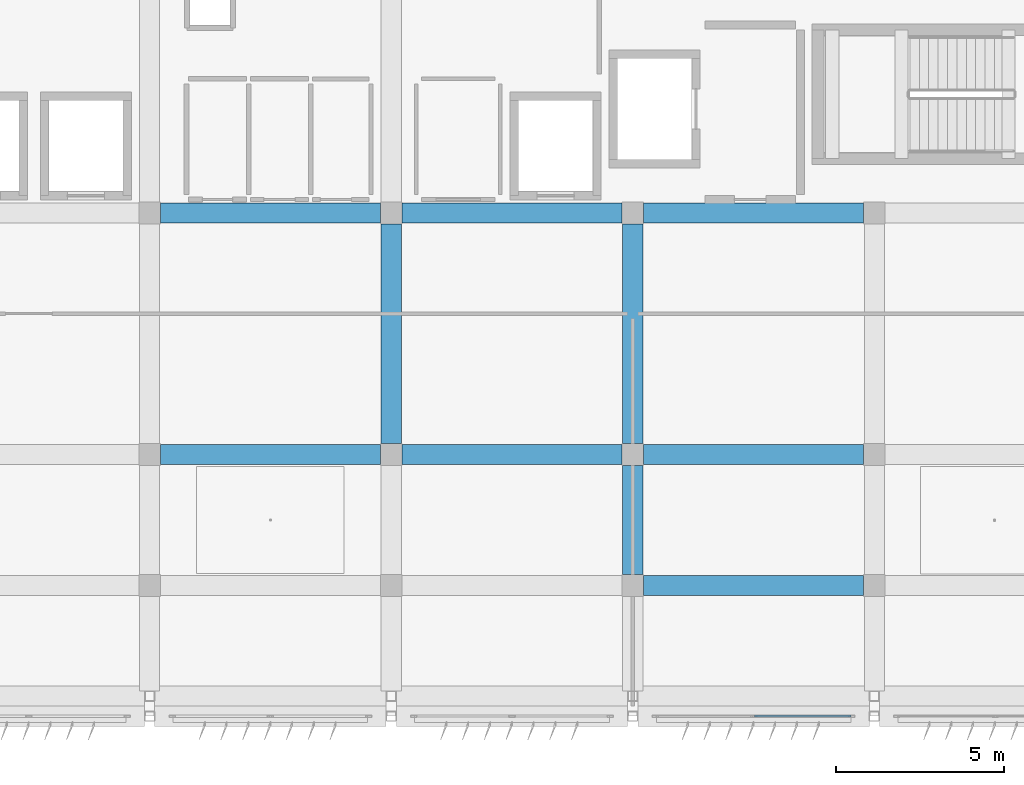
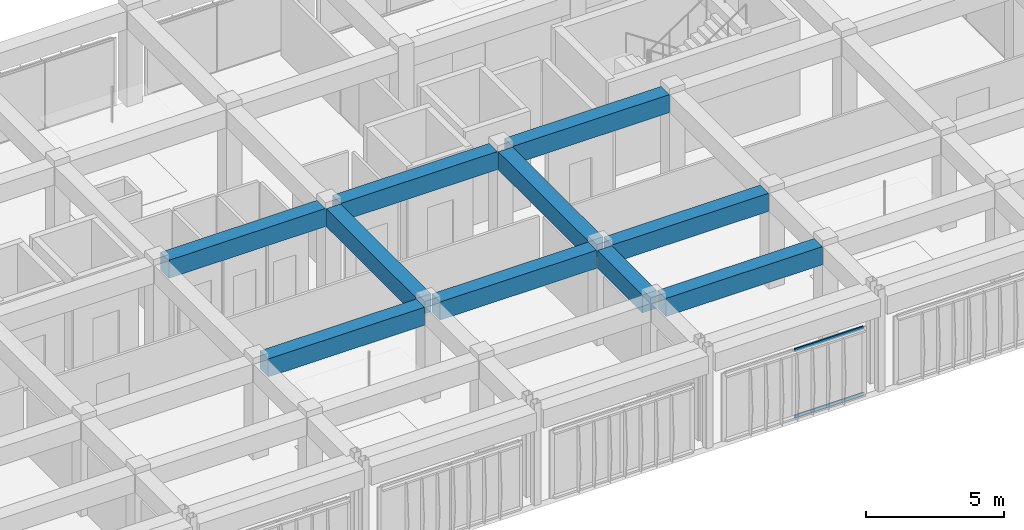
# One storey, part 20 of 56: 10 beams, 2 members, 1 element without a shape of its own.
"""IFC4 building model written with IfcOpenShell, lengths in metres."""

from ifc_helpers import new_model, si_unit, direction, frame, origin, origin_2d, place, context, subcontext, project, spatial, rectangle, hollow_rectangle, extrude, material, material_profile, profile_set, type_object, element, aggregate, save


model = new_model("IFC4")

# Units and contexts
model_context = context("Model", 3, precision=1e-05, world=origin(), true_north=direction((0.0, 1.0)))
body_context = subcontext(model_context, "Body", "Model", "MODEL_VIEW")
ifc_project = project(units=[si_unit("LENGTHUNIT", "METRE"), si_unit("AREAUNIT", "SQUARE_METRE"), si_unit("VOLUMEUNIT", "CUBIC_METRE"), si_unit("PLANEANGLEUNIT", "RADIAN"), si_unit("MASSUNIT", "GRAM", prefix="KILO")], contexts=[model_context])

# Site, building, storey
site_placement = place(None, origin())
site = spatial("IfcSite", under=ifc_project, at=site_placement, CompositionType="ELEMENT")
building_placement = place(site_placement, origin())
building = spatial("IfcBuilding", under=site, at=building_placement, Name="Kazehaya Institute of Natural Sciences", CompositionType="ELEMENT")
storey_placement = place(building_placement, frame((0.0, 0.0, 28.800048828125)))
storey = spatial("IfcBuildingStorey", under=building, at=storey_placement, Name="L06", CompositionType="ELEMENT", Elevation=28.800048828125)

# Beams
ifc_material_1 = material(Name="Concrete Fc36", Category="concrete")
ifc_material_profile_1 = material_profile(ifc_material_1, rectangle(XDim=0.60009765625, YDim=0.800048828125, at=origin_2d()), Name="RC-600x800")
ifc_profile_set_1 = profile_set([ifc_material_profile_1], Name="Concrete Fc36")
beam_type = type_object("IfcBeamType", Name="BM-G-600x800", PredefinedType="BEAM", material=ifc_profile_set_1)
beam_1_placement = place(storey_placement, frame((98.125, 10.10009765625, 3.829833984375), z_axis=(1.0, 0.0, 0.0), x_axis=(0.0, 1.0, 0.0)))
element("IfcBeam", 1, at=beam_1_placement, inside=storey, type_object=beam_type, Name="L06 primary X girder BMX-L06-978-101", PredefinedType="BEAM", context=body_context, shape_type="SweptSolid", body=[
    extrude(rectangle(XDim=0.60009765625, YDim=0.800048828125, at=origin_2d()), origin(), (0.0, 0.0, 1.0), 6.550048828125),
])
beam_2_placement = place(storey_placement, frame((83.72509765625, 14.0, 3.829833984375), z_axis=(1.0, 0.0, 0.0), x_axis=(0.0, 1.0, 0.0)))
element("IfcBeam", 2, at=beam_2_placement, inside=storey, type_object=beam_type, Name="L06 primary X girder BMX-L06-834-140", PredefinedType="BEAM", context=body_context, shape_type="SweptSolid", body=[
    extrude(rectangle(XDim=0.60009765625, YDim=0.800048828125, at=origin_2d()), origin(), (0.0, 0.0, 1.0), 6.5498046875),
])
for number, where, z_axis, x_axis, name in (
    (3, (90.925048828125, 14.0, 3.829833984375), (1.0, 0.0, 0.0), (0.0, 1.0, 0.0), "L06 primary X girder BMX-L06-906-140"),
    (4, (98.125, 14.0, 3.829833984375), (1.0, 0.0, 0.0), (0.0, 1.0, 0.0), "L06 primary X girder BMX-L06-978-140"),
):
    element("IfcBeam", number, at=place(storey_placement, frame(where, z_axis=z_axis, x_axis=x_axis)), inside=storey, type_object=beam_type, Name=name, PredefinedType="BEAM", context=body_context, shape_type="SweptSolid", body=[
        extrude(rectangle(XDim=0.60009765625, YDim=0.800048828125, at=origin_2d()), origin(), (0.0, 0.0, 1.0), 6.550048828125),
    ])
beam_3_placement = place(storey_placement, frame((83.72509765625, 21.199951171875, 3.829833984375), z_axis=(1.0, 0.0, 0.0), x_axis=(0.0, 1.0, 0.0)))
element("IfcBeam", 5, at=beam_3_placement, inside=storey, type_object=beam_type, Name="L06 primary X girder BMX-L06-834-212", PredefinedType="BEAM", context=body_context, shape_type="SweptSolid", body=[
    extrude(rectangle(XDim=0.60009765625, YDim=0.800048828125, at=origin_2d()), origin(), (0.0, 0.0, 1.0), 6.5498046875),
])
for number, where, z_axis, x_axis, name in (
    (6, (90.925048828125, 21.199951171875, 3.829833984375), (1.0, 0.0, 0.0), (0.0, 1.0, 0.0), "L06 primary X girder BMX-L06-906-212"),
    (7, (98.125, 21.199951171875, 3.829833984375), (1.0, 0.0, 0.0), (0.0, 1.0, 0.0), "L06 primary X girder BMX-L06-978-212"),
    (8, (90.60009765625, 14.324951171875, 3.829833984375), (0.0, 1.0, 0.0), (-1.0, 0.0, 0.0), "L06 primary Y girder BMY-L06-906-140"),
):
    element("IfcBeam", number, at=place(storey_placement, frame(where, z_axis=z_axis, x_axis=x_axis)), inside=storey, type_object=beam_type, Name=name, PredefinedType="BEAM", context=body_context, shape_type="SweptSolid", body=[
        extrude(rectangle(XDim=0.60009765625, YDim=0.800048828125, at=origin_2d()), origin(), (0.0, 0.0, 1.0), 6.550048828125),
    ])
beam_4_placement = place(storey_placement, frame((97.800048828125, 10.425048828125, 3.829833984375), z_axis=(0.0, 1.0, 0.0), x_axis=(-1.0, 0.0, 0.0)))
element("IfcBeam", 9, at=beam_4_placement, inside=storey, type_object=beam_type, Name="L06 primary Y girder BMY-L06-978-101", PredefinedType="BEAM", context=body_context, shape_type="SweptSolid", body=[
    extrude(rectangle(XDim=0.60009765625, YDim=0.800048828125, at=origin_2d()), origin(), (0.0, 0.0, 1.0), 3.25),
])
beam_5_placement = place(storey_placement, frame((97.800048828125, 14.324951171875, 3.829833984375), z_axis=(0.0, 1.0, 0.0), x_axis=(-1.0, 0.0, 0.0)))
element("IfcBeam", 10, at=beam_5_placement, inside=storey, type_object=beam_type, Name="L06 primary Y girder BMY-L06-978-140", PredefinedType="BEAM", context=body_context, shape_type="SweptSolid", body=[
    extrude(rectangle(XDim=0.60009765625, YDim=0.800048828125, at=origin_2d()), origin(), (0.0, 0.0, 1.0), 6.550048828125),
])

# Curtain wall, members
ifc_material_2 = material(Name="Aluminium alloy A6063S-T5", Category="aluminium")
curtain_wall_type = type_object("IfcCurtainWallType", Name="CW-SYS-04", PredefinedType="NOTDEFINED", material=ifc_material_2)
curtain_wall_placement = place(storey_placement, origin())
curtain_wall = element("IfcCurtainWall", 11, at=curtain_wall_placement, inside=storey, type_object=curtain_wall_type, Name="L06 unitised curtain wall CW-L06-122", PredefinedType="NOTDEFINED")
ifc_material_profile_2 = material_profile(ifc_material_2, hollow_rectangle(XDim=0.06005859375, YDim=0.139892578125, WallThickness=0.00341796875, at=origin_2d()), Name="ALU-60x140x3.5")
ifc_profile_set_2 = profile_set([ifc_material_profile_2], Name="Aluminium alloy A6063S-T5")
member_type = type_object("IfcMemberType", Name="CWT-140", PredefinedType="USERDEFINED", material=ifc_profile_set_2)
member_1_placement = place(storey_placement, frame((104.300048828125, 6.199951171875, 0.030029296875), z_axis=(-1.0, 0.0, 0.0), x_axis=(0.0, -1.0, 0.0)))
member_1 = element("IfcMember", 12, at=member_1_placement, type_object=member_type, Name="CW04 transom 1.1", ObjectType="TRANSOM", PredefinedType="USERDEFINED", context=body_context, shape_type="SweptSolid", body=[
    extrude(hollow_rectangle(XDim=0.06005859375, YDim=0.139892578125, WallThickness=0.00341796875, at=origin_2d()), origin(), (0.0, 0.0, 1.0), 2.8701171875),
])
member_2_placement = place(storey_placement, frame((104.300048828125, 6.199951171875, 2.969970703125), z_axis=(-1.0, 0.0, 0.0), x_axis=(0.0, -1.0, 0.0)))
member_2 = element("IfcMember", 13, at=member_2_placement, type_object=member_type, Name="CW04 transom 1.2", ObjectType="TRANSOM", PredefinedType="USERDEFINED", context=body_context, shape_type="SweptSolid", body=[
    extrude(hollow_rectangle(XDim=0.06005859375, YDim=0.139892578125, WallThickness=0.00341796875, at=origin_2d()), origin(), (0.0, 0.0, 1.0), 2.8701171875),
])
aggregate(curtain_wall, [member_1, member_2])

save(model, "model.ifc")
